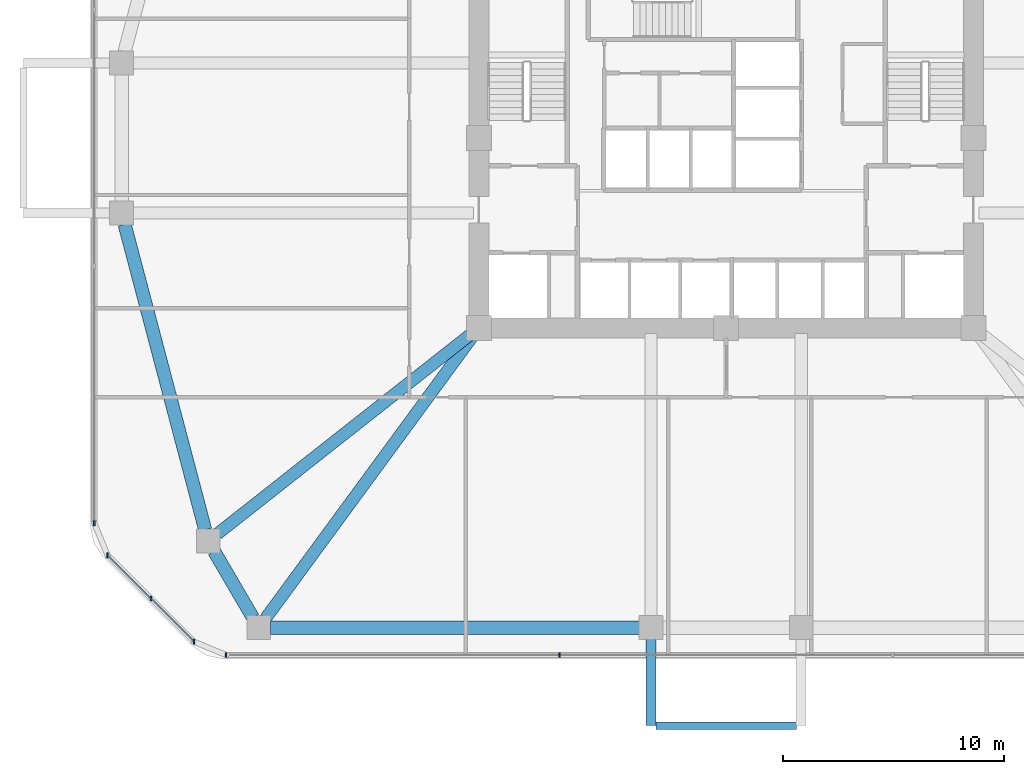
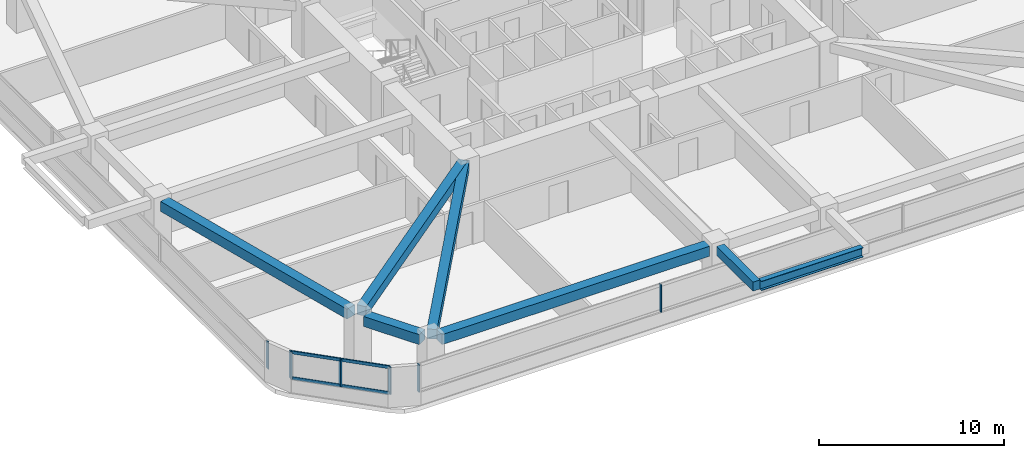
# One storey, part 2 of 13: 8 members, 7 beams, 3 elements without a shape of their own.
"""IFC4 building model written with IfcOpenShell, lengths in metres."""

from ifc_helpers import new_model, si_unit, derived_unit, direction, frame, origin, origin_2d, place, context, subcontext, project, spatial, rectangle, i_section, extrude, material, material_profile, profile_set, type_object, element, aggregate, save


model = new_model("IFC4")

# Units and contexts
model_context = context("Model", 3, precision=1e-05, world=origin(), true_north=direction((0.0, 1.0)))
body_context = subcontext(model_context, "Body", "Model", "MODEL_VIEW")
ifc_project = project(units=[si_unit("LENGTHUNIT", "METRE"), si_unit("AREAUNIT", "SQUARE_METRE"), si_unit("VOLUMEUNIT", "CUBIC_METRE"), si_unit("PLANEANGLEUNIT", "RADIAN"), si_unit("MASSUNIT", "GRAM", prefix="KILO"), derived_unit("THERMALTRANSMITTANCEUNIT", [(si_unit("POWERUNIT", "WATT"), 1), (si_unit("LENGTHUNIT", "METRE"), -2), (si_unit("THERMODYNAMICTEMPERATUREUNIT", "KELVIN"), -1)])], contexts=[model_context])

# Site, building, storey
site_placement = place(None, origin())
site = spatial("IfcSite", under=ifc_project, at=site_placement, CompositionType="ELEMENT")
building_placement = place(site_placement, origin())
building = spatial("IfcBuilding", under=site, at=building_placement, Name="Koralith Skygarden Medical Center", CompositionType="ELEMENT")
storey_placement = place(building_placement, frame((0.0, 0.0, 59.93994140625)))
storey = spatial("IfcBuildingStorey", under=building, at=storey_placement, Name="L15", CompositionType="ELEMENT", Elevation=59.93994140625)

# Curtain wall, members
ifc_material_1 = material(Name="Clear Laminated Glass", Category="glass")
curtain_wall_type = type_object("IfcCurtainWallType", Name="CW-2 Zone 1 Hurricane Unitised Curtain Wall", PredefinedType="NOTDEFINED", material=ifc_material_1)
curtain_wall_1_placement = place(storey_placement, origin())
curtain_wall_1 = element("IfcCurtainWall", 1, at=curtain_wall_1_placement, inside=storey, type_object=curtain_wall_type, Name="Curtain Wall CW-L15-S", PredefinedType="NOTDEFINED")
ifc_material_2 = material(Name="Aluminium 6063-T6", Category="aluminium")
ifc_material_profile_1 = material_profile(ifc_material_2, rectangle(XDim=0.071044921875, YDim=0.219970703125, at=origin_2d()), Name="MUL71X220")
ifc_profile_set_1 = profile_set([ifc_material_profile_1], Name="Aluminium 6063-T6")
member_type_1 = type_object("IfcMemberType", Name="CW-2 Extruded Mullion 71x220", PredefinedType="MULLION", material=ifc_profile_set_1)
member_1_placement = place(storey_placement, frame((14.35498046875, 2.47998046875, 0.85009765625), z_axis=(0.0, 0.0, 1.0), x_axis=(1.0, 0.0, 0.0)))
member_1 = element("IfcMember", 2, at=member_1_placement, type_object=member_type_1, Name="CW-L15-S Mullion 1", PredefinedType="MULLION", context=body_context, shape_type="SweptSolid", body=[
    extrude(rectangle(XDim=0.071044921875, YDim=0.219970703125, at=origin_2d()), origin(), (0.0, 0.0, 1.0), 1.800048828125),
])
member_2_placement = place(storey_placement, frame((29.451904296875, 2.47998046875, 0.85009765625), z_axis=(0.0, 0.0, 1.0), x_axis=(1.0, 0.0, 0.0)))
member_2 = element("IfcMember", 3, at=member_2_placement, type_object=member_type_1, Name="CW-L15-S Mullion 2", PredefinedType="MULLION", context=body_context, shape_type="SweptSolid", body=[
    extrude(rectangle(XDim=0.071044921875, YDim=0.219970703125, at=origin_2d()), origin(), (0.0, 0.0, 1.0), 1.800048828125),
])
aggregate(curtain_wall_1, [member_1, member_2])

# Curtain wall, member
curtain_wall_2_placement = place(storey_placement, origin())
curtain_wall_2 = element("IfcCurtainWall", 4, at=curtain_wall_2_placement, inside=storey, type_object=curtain_wall_type, Name="Curtain Wall CW-L15-W", PredefinedType="NOTDEFINED")
member_3_placement = place(storey_placement, frame((8.3798828125, 8.455078125, 0.85009765625), z_axis=(0.0, 0.0, 1.0), x_axis=(1.0, 0.0, 0.0)))
member_3 = element("IfcMember", 5, at=member_3_placement, type_object=member_type_1, Name="CW-L15-W Mullion 4", PredefinedType="MULLION", context=body_context, shape_type="SweptSolid", body=[
    extrude(rectangle(XDim=0.071044921875, YDim=0.219970703125, at=origin_2d()), origin(), (0.0, 0.0, 1.0), 1.800048828125),
])
aggregate(curtain_wall_2, [member_3])

# Curtain wall, members
curtain_wall_3_placement = place(storey_placement, origin())
curtain_wall_3 = element("IfcCurtainWall", 6, at=curtain_wall_3_placement, inside=storey, type_object=curtain_wall_type, Name="Curtain Wall CW-L15-SW", PredefinedType="NOTDEFINED")
member_4_placement = place(storey_placement, frame((8.98095703125, 7.00390625, 0.85009765625), z_axis=(0.0, 0.0, 1.0), x_axis=(1.0, 0.0, 0.0)))
member_4 = element("IfcMember", 7, at=member_4_placement, type_object=member_type_1, Name="CW-L15-SW Mullion 1", PredefinedType="MULLION", context=body_context, shape_type="SweptSolid", body=[
    extrude(rectangle(XDim=0.071044921875, YDim=0.219970703125, at=origin_2d()), origin(), (0.0, 0.0, 1.0), 1.800048828125),
])
member_5_placement = place(storey_placement, frame((10.94189453125, 5.04296875, 0.85009765625), z_axis=(0.0, 0.0, 1.0), x_axis=(1.0, 0.0, 0.0)))
member_5 = element("IfcMember", 8, at=member_5_placement, type_object=member_type_1, Name="CW-L15-SW Mullion 2", PredefinedType="MULLION", context=body_context, shape_type="SweptSolid", body=[
    extrude(rectangle(XDim=0.071044921875, YDim=0.219970703125, at=origin_2d()), origin(), (0.0, 0.0, 1.0), 1.800048828125),
])
member_6_placement = place(storey_placement, frame((12.904052734375, 3.0810546875, 0.85009765625), z_axis=(0.0, 0.0, 1.0), x_axis=(1.0, 0.0, 0.0)))
member_6 = element("IfcMember", 9, at=member_6_placement, type_object=member_type_1, Name="CW-L15-SW Mullion 3", PredefinedType="MULLION", context=body_context, shape_type="SweptSolid", body=[
    extrude(rectangle(XDim=0.071044921875, YDim=0.219970703125, at=origin_2d()), origin(), (0.0, 0.0, 1.0), 1.800048828125),
])
ifc_material_profile_2 = material_profile(ifc_material_2, rectangle(XDim=0.06591796875, YDim=0.197998046875, at=origin_2d()), Name="TRN66X198")
ifc_profile_set_2 = profile_set([ifc_material_profile_2], Name="Aluminium 6063-T6")
member_type_2 = type_object("IfcMemberType", Name="CW-2 Thermal Transom 66x198", PredefinedType="USERDEFINED", material=ifc_profile_set_2)
member_7_placement = place(storey_placement, frame((8.98095703125, 7.00390625, 0.900146484375), z_axis=(0.707128783731, -0.707084777957, 0.0), x_axis=(0.707084777957, 0.707128783731, 0.0)))
member_7 = element("IfcMember", 10, at=member_7_placement, type_object=member_type_2, Name="CW-L15-SW Transom 1", ObjectType="TRANSOM", PredefinedType="USERDEFINED", context=body_context, shape_type="SweptSolid", body=[
    extrude(rectangle(XDim=0.06591796875, YDim=0.197998046875, at=origin_2d()), origin(), (0.0, 0.0, 1.0), 5.5478515625),
])
member_8_placement = place(storey_placement, frame((8.98095703125, 7.00390625, 2.60009765625), z_axis=(0.707128783731, -0.707084777957, 0.0), x_axis=(0.707084777957, 0.707128783731, 0.0)))
member_8 = element("IfcMember", 11, at=member_8_placement, type_object=member_type_2, Name="CW-L15-SW Transom 2", ObjectType="TRANSOM", PredefinedType="USERDEFINED", context=body_context, shape_type="SweptSolid", body=[
    extrude(rectangle(XDim=0.06591796875, YDim=0.197998046875, at=origin_2d()), origin(), (0.0, 0.0, 1.0), 5.5478515625),
])
aggregate(curtain_wall_3, [member_4, member_5, member_6, member_7, member_8])

# Beams
ifc_material_3 = material(Name="Steel ASTM A992 Grade 50", Category="steel")
ifc_material_profile_3 = material_profile(ifc_material_3, i_section(OverallWidth=0.326904296875, OverallDepth=0.6220703125, WebThickness=0.015380859375, FlangeThickness=0.0244140625, at=origin_2d()), Name="W24X131")
ifc_profile_set_3 = profile_set([ifc_material_profile_3], Name="Steel ASTM A992 Grade 50")
beam_type_1 = type_object("IfcBeamType", Name="Cantilever Tie Beam W24X131", PredefinedType="BEAM", material=ifc_profile_set_3)
beam_1_placement = place(storey_placement, frame((33.820068359375, -0.719970703125, 3.029052734375), z_axis=(1.0, 0.0, 0.0), x_axis=(0.0, 1.0, 0.0)))
element("IfcBeam", 12, at=beam_1_placement, inside=storey, type_object=beam_type_1, Name="L16 S Balcony Tip Tie Beam", PredefinedType="BEAM", context=body_context, shape_type="SweptSolid", body=[
    extrude(i_section(OverallWidth=0.326904296875, OverallDepth=0.6220703125, WebThickness=0.015380859375, FlangeThickness=0.0244140625, at=origin_2d()), origin(), (0.0, 0.0, 1.0), 6.35986328125),
])
ifc_material_4 = material(Name="Concrete C45/55", Category="concrete")
ifc_material_profile_4 = material_profile(ifc_material_4, rectangle(XDim=0.449951171875, YDim=0.60009765625, at=origin_2d()), Name="RCB450X600")
ifc_profile_set_4 = profile_set([ifc_material_profile_4], Name="Concrete C45/55")
beam_type_2 = type_object("IfcBeamType", Name="Planted Balcony Cantilever Beam RCB450X600", PredefinedType="BEAM", material=ifc_profile_set_4)
beam_2_placement = place(storey_placement, frame((33.60009765625, 3.199951171875, 3.0400390625), z_axis=(0.0, -1.0, 0.0), x_axis=(1.0, 0.0, 0.0)))
element("IfcBeam", 13, at=beam_2_placement, inside=storey, type_object=beam_type_2, Name="L16 S Balcony Cantilever Beam A", PredefinedType="BEAM", context=body_context, shape_type="SweptSolid", body=[
    extrude(rectangle(XDim=0.449951171875, YDim=0.60009765625, at=origin_2d()), origin(), (0.0, 0.0, 1.0), 3.919921875),
])
ifc_material_profile_5 = material_profile(ifc_material_4, rectangle(XDim=0.550048828125, YDim=0.639892578125, at=origin_2d()), Name="RCB550X640")
ifc_profile_set_5 = profile_set([ifc_material_profile_5], Name="Concrete C45/55")
beam_type_3 = type_object("IfcBeamType", Name="Radial Collector Beam RCB550X640", PredefinedType="BEAM", material=ifc_profile_set_5)
beam_3_placement = place(storey_placement, frame((25.60400390625, 17.14501953125, 3.0), z_axis=(-0.785497250365, -0.618865146594, 0.0), x_axis=(0.618865146594, -0.785497250365, 0.0)))
element("IfcBeam", 14, at=beam_3_placement, inside=storey, type_object=beam_type_3, Name="L15 Radial Collector Beam RB-02", PredefinedType="BEAM", context=body_context, shape_type="SweptSolid", body=[
    extrude(rectangle(XDim=0.550048828125, YDim=0.639892578125, at=origin_2d()), origin(), (0.0, 0.0, 1.0), 14.828857421875),
])
beam_4_placement = place(storey_placement, frame((25.652099609375, 17.097900390625, 3.0), z_axis=(-0.591718052249, -0.806144991079, 0.0), x_axis=(0.806144991079, -0.591718052249, 0.0)))
element("IfcBeam", 15, at=beam_4_placement, inside=storey, type_object=beam_type_3, Name="L15 Radial Collector Beam RB-03", PredefinedType="BEAM", context=body_context, shape_type="SweptSolid", body=[
    extrude(rectangle(XDim=0.550048828125, YDim=0.639892578125, at=origin_2d()), origin(), (0.0, 0.0, 1.0), 16.065185546875),
])
ifc_material_profile_6 = material_profile(ifc_material_4, rectangle(XDim=0.60009765625, YDim=0.659912109375, at=origin_2d()), Name="RCB600X660")
ifc_profile_set_6 = profile_set([ifc_material_profile_6], Name="Concrete C45/55")
beam_type_4 = type_object("IfcBeamType", Name="Zone 1 Spandrel Beam RCB600X660", PredefinedType="SPANDREL", material=ifc_profile_set_6)
beam_5_placement = place(storey_placement, frame((9.7548828125, 21.988037109375, 2.989990234375), z_axis=(0.255088684842, -0.966917660851, 0.0), x_axis=(0.966917660851, 0.255088684842, 0.0)))
element("IfcBeam", 16, at=beam_5_placement, inside=storey, type_object=beam_type_4, Name="L15 Perimeter Spandrel Beam SP-01", PredefinedType="SPANDREL", context=body_context, shape_type="SweptSolid", body=[
    extrude(rectangle(XDim=0.60009765625, YDim=0.659912109375, at=origin_2d()), origin(), (0.0, 0.0, 1.0), 14.309326171875),
])
beam_6_placement = place(storey_placement, frame((13.80810546875, 7.181884765625, 2.989990234375), z_axis=(0.504638660636, -0.863330656349, 0.0), x_axis=(0.863330656349, 0.504638660636, 0.0)))
element("IfcBeam", 17, at=beam_6_placement, inside=storey, type_object=beam_type_4, Name="L15 Perimeter Spandrel Beam SP-02", PredefinedType="SPANDREL", context=body_context, shape_type="SweptSolid", body=[
    extrude(rectangle(XDim=0.60009765625, YDim=0.659912109375, at=origin_2d()), origin(), (0.0, 0.0, 1.0), 3.4794921875),
])
beam_7_placement = place(storey_placement, frame((16.362060546875, 3.719970703125, 2.989990234375), z_axis=(1.0, 0.0, 0.0), x_axis=(0.0, 1.0, 0.0)))
element("IfcBeam", 18, at=beam_7_placement, inside=storey, type_object=beam_type_4, Name="L15 Perimeter Spandrel Beam SP-03", PredefinedType="SPANDREL", context=body_context, shape_type="SweptSolid", body=[
    extrude(rectangle(XDim=0.60009765625, YDim=0.659912109375, at=origin_2d()), origin(), (0.0, 0.0, 1.0), 16.7080078125),
])

save(model, "model.ifc")
